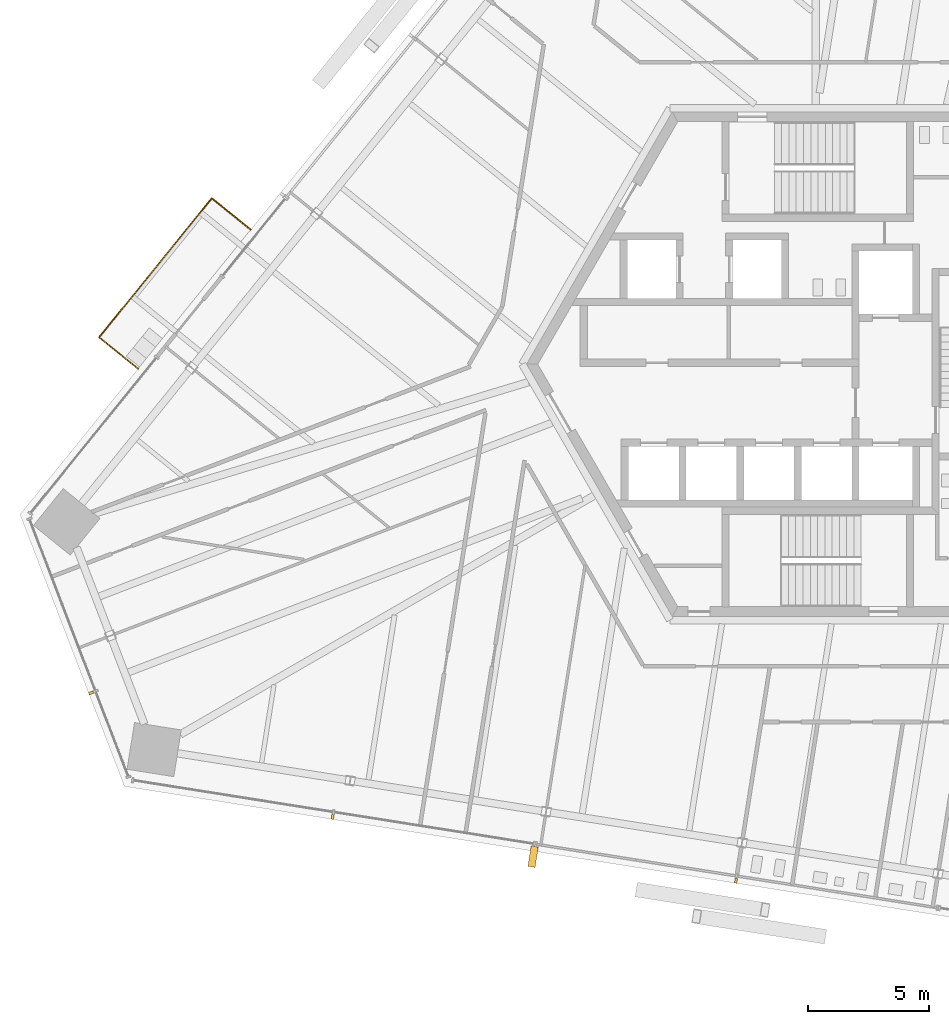
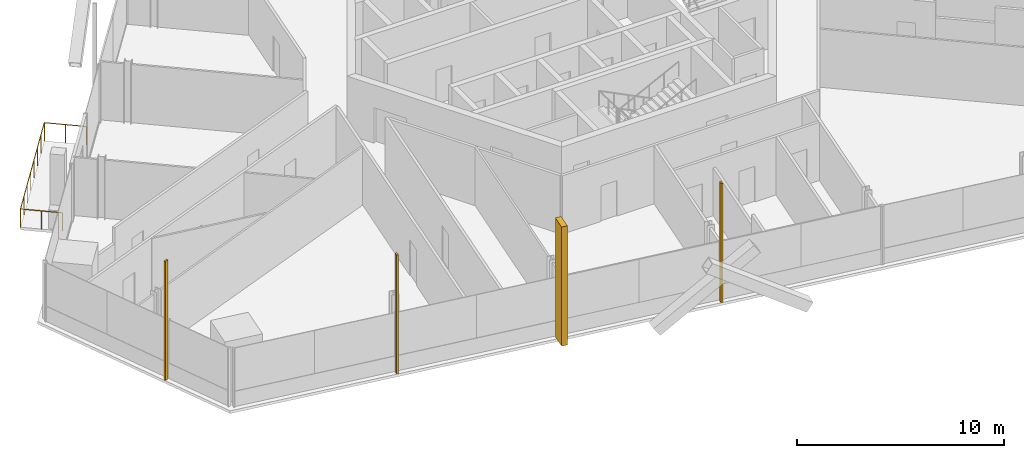
# One storey, part 16 of 22: 4 shading devices, 1 railing.
"""IFC4 building model written with IfcOpenShell, lengths in metres."""

from ifc_helpers import new_model, si_unit, direction, frame, origin, origin_2d, place, context, subcontext, project, spatial, rectangle, circle, extrude, source, transform, mapped, material, type_object, element, save


model = new_model("IFC4")

# Units and contexts
model_context = context("Model", 3, precision=1e-05, world=origin(), true_north=direction((0.0, 1.0)))
body_context = subcontext(model_context, "Body", "Model", "MODEL_VIEW")
ifc_project = project(units=[si_unit("LENGTHUNIT", "METRE"), si_unit("AREAUNIT", "SQUARE_METRE"), si_unit("VOLUMEUNIT", "CUBIC_METRE"), si_unit("PLANEANGLEUNIT", "RADIAN"), si_unit("MASSUNIT", "GRAM", prefix="KILO")], contexts=[model_context])

# Site, building, storey
site_placement = place(None, origin())
site = spatial("IfcSite", under=ifc_project, at=site_placement, CompositionType="ELEMENT")
building_placement = place(site_placement, origin())
building = spatial("IfcBuilding", under=site, at=building_placement, Name="Triune Harvest Tower", CompositionType="ELEMENT")
storey_placement = place(building_placement, frame((0.0, 0.0, 153.300048828125)))
storey = spatial("IfcBuildingStorey", under=building, at=storey_placement, Name="L39", CompositionType="ELEMENT", Elevation=153.300048828125)

# Railing
ifc_material_1 = material(Name="Glass", Category="glass")
railing_type = type_object("IfcRailingType", Name="GD-2 balcony guard 1100", PredefinedType="GUARDRAIL", material=ifc_material_1)
railing_placement = place(storey_placement, frame((-23.369384765625, 5.544677734375, 0.0)))
element("IfcRailing", 1, at=railing_placement, inside=storey, type_object=railing_type, Name="Balcony guard B4-F3 L39.10", PredefinedType="GUARDRAIL", context=body_context, shape_type="SweptSolid", body=[
    extrude(circle(Radius=0.02392578125, at=origin_2d()), frame((0.0, 0.0, 1.076171875), z_axis=(-0.777145558365, 0.629320888827, 0.0), x_axis=(-0.629320888827, -0.777145558365, 0.0)), (0.0, 0.0, 1.0), 2.06103515625),
    extrude(circle(Radius=0.02392578125, at=origin_2d()), frame((-1.601806640625, 1.297119140625, 1.076171875), z_axis=(-0.629341993972, -0.777128467259, 0.0), x_axis=(0.777128467259, -0.629341993972, 0.0)), (0.0, 0.0, 1.0), 7.376220703125),
    extrude(circle(Radius=0.02392578125, at=origin_2d()), frame((-6.243896484375, -4.43505859375, 1.076171875), z_axis=(0.777134540847, -0.629334494066, 0.0), x_axis=(0.629334494066, 0.777134540847, 0.0)), (0.0, 0.0, 1.0), 2.0615234375),
    extrude(circle(Radius=0.02099609375, at=origin_2d()), origin(), (0.0, 0.0, 1.0), 1.052001953125),
    extrude(circle(Radius=0.02099609375, at=origin_2d()), frame((-0.80078125, 0.6484375, 0.0)), (0.0, 0.0, 1.0), 1.052001953125),
    extrude(circle(Radius=0.02099609375, at=origin_2d()), frame((-1.601806640625, 1.297119140625, 0.0)), (0.0, 0.0, 1.0), 1.052001953125),
    extrude(circle(Radius=0.02099609375, at=origin_2d()), frame((-2.264892578125, 0.478271484375, 0.0)), (0.0, 0.0, 1.0), 1.052001953125),
    extrude(circle(Radius=0.02099609375, at=origin_2d()), frame((-2.92822265625, -0.340576171875, 0.0)), (0.0, 0.0, 1.0), 1.052001953125),
    extrude(circle(Radius=0.02099609375, at=origin_2d()), frame((-3.59130859375, -1.159423828125, 0.0)), (0.0, 0.0, 1.0), 1.052001953125),
    extrude(circle(Radius=0.02099609375, at=origin_2d()), frame((-4.25439453125, -1.978515625, 0.0)), (0.0, 0.0, 1.0), 1.052001953125),
    extrude(circle(Radius=0.02099609375, at=origin_2d()), frame((-4.91748046875, -2.79736328125, 0.0)), (0.0, 0.0, 1.0), 1.052001953125),
    extrude(circle(Radius=0.02099609375, at=origin_2d()), frame((-5.580810546875, -3.6162109375, 0.0)), (0.0, 0.0, 1.0), 1.052001953125),
    extrude(circle(Radius=0.02099609375, at=origin_2d()), frame((-6.243896484375, -4.43505859375, 0.0)), (0.0, 0.0, 1.0), 1.052001953125),
    extrude(circle(Radius=0.02099609375, at=origin_2d()), frame((-5.44287109375, -5.083740234375, 0.0)), (0.0, 0.0, 1.0), 1.052001953125),
    extrude(circle(Radius=0.02099609375, at=origin_2d()), frame((-4.641845703125, -5.732421875, 0.0)), (0.0, 0.0, 1.0), 1.052001953125),
])

# Shading devices
ifc_material_2 = material(Name="Aluminium bronze anodised", Category="aluminium")
shared_shape_1 = source(origin(), body_context, "Body", "SweptSolid", [
    extrude(rectangle(XDim=0.10009765625, YDim=0.199951171875, at=origin_2d()), origin(), (0.0, 0.0, 1.0), 7.0400390625),
])
for number, where, z_axis, x_axis, name in (
    (2, (-29.944580078125, -13.54296875, 0.0), (0.0, 0.0, 1.0), (0.358368910177, -0.933580057745, 0.0), "FN-1 fin B4-F4.3 L39"),
    (3, (-19.98876953125, -18.6533203125, 0.0), (0.0, 0.0, 1.0), (0.987688259912, -0.156434974453, 0.0), "FN-1 fin B4-F5.3 L39"),
    (4, (-3.371337890625, -21.285400390625, 0.0), (0.0, 0.0, 1.0), (0.987688259912, -0.156434974453, 0.0), "FN-1 fin B4-F5.7 L39"),
):
    element("IfcShadingDevice", number, at=place(storey_placement, frame(where, z_axis=z_axis, x_axis=x_axis)), inside=storey, material=ifc_material_2, Name=name, ObjectType="FIN", PredefinedType="USERDEFINED", context=body_context, shape_type="MappedRepresentation", body=[
        mapped(shared_shape_1, transform((0.0, 0.0, 0.0), scale=1.0)),
    ])
shared_shape_2 = source(origin(), body_context, "Body", "SweptSolid", [
    extrude(rectangle(XDim=0.300048828125, YDim=0.85009765625, at=origin_2d()), origin(), (0.0, 0.0, 1.0), 7.0400390625),
])
shading_device_placement = place(storey_placement, frame((-11.730712890625, -20.290283203125, 0.0), z_axis=(0.0, 0.0, 1.0), x_axis=(0.987688259912, -0.156434974453, 0.0)))
element("IfcShadingDevice", 5, at=shading_device_placement, inside=storey, material=ifc_material_2, Name="FN-2 fin B4-F5.5 L39", ObjectType="FIN", PredefinedType="USERDEFINED", context=body_context, shape_type="MappedRepresentation", body=[
    mapped(shared_shape_2, transform((0.0, 0.0, 0.0), scale=1.0)),
])

save(model, "model.ifc")
